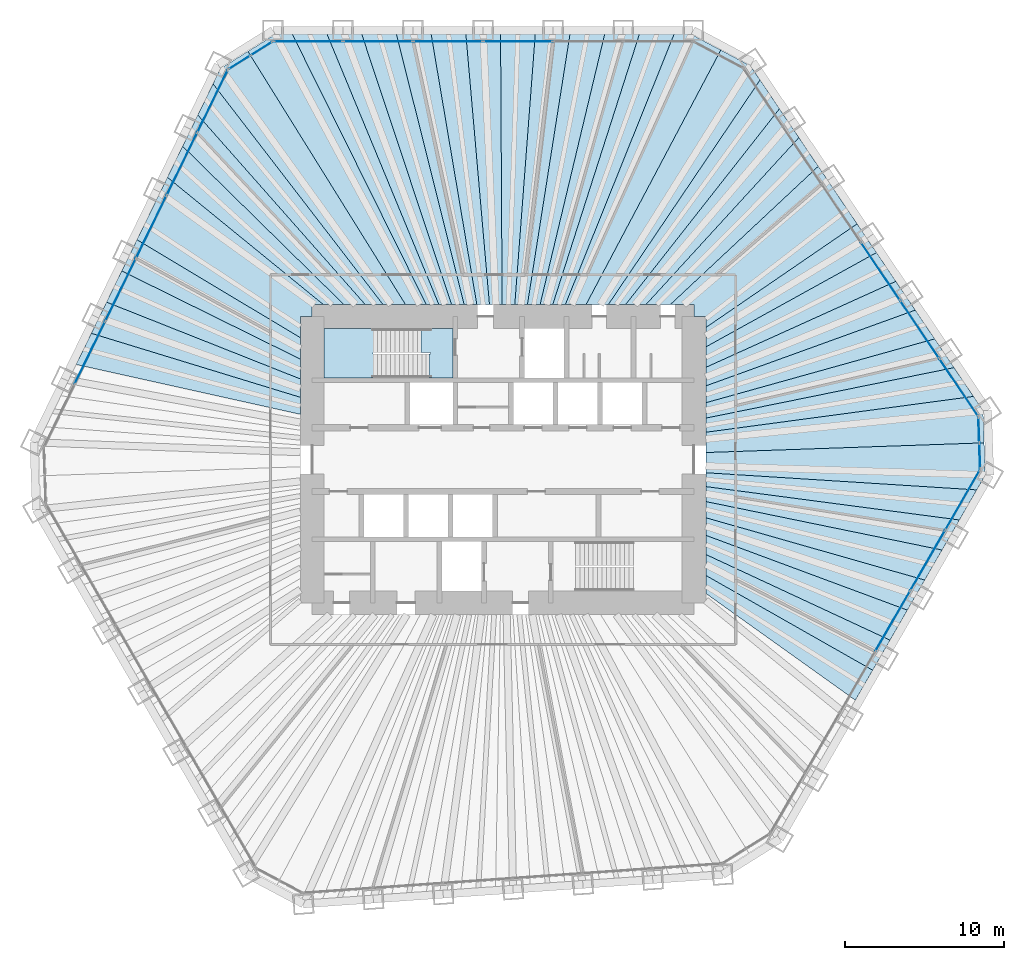
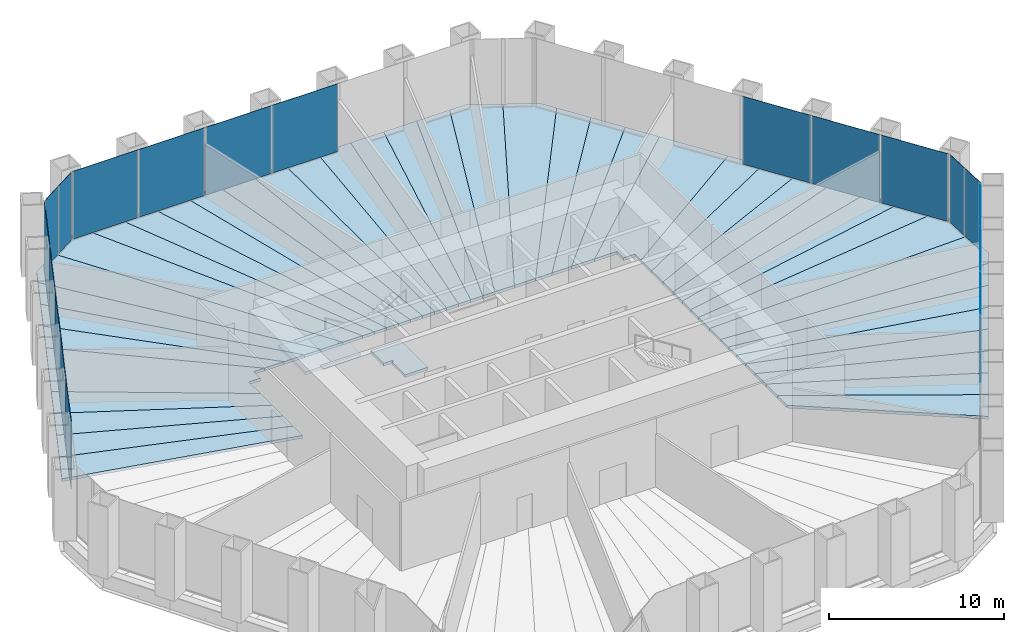
# One storey, part 9 of 13: 44 slabs, 19 plates, 7 elements without a shape of their own.
"""IFC4 building model written with IfcOpenShell, lengths in metres."""

from ifc_helpers import new_model, si_unit, direction, frame, origin, origin_2d, place, context, subcontext, project, spatial, polyline, rectangle, outline, extrude, material, layer, layer_set, type_object, element, aggregate, save


model = new_model("IFC4")

# Units and contexts
model_context = context("Model", 3, precision=1e-05, world=origin(), true_north=direction((0.0, 1.0)))
body_context = subcontext(model_context, "Body", "Model", "MODEL_VIEW")
ifc_project = project(units=[si_unit("LENGTHUNIT", "METRE"), si_unit("AREAUNIT", "SQUARE_METRE"), si_unit("VOLUMEUNIT", "CUBIC_METRE"), si_unit("PLANEANGLEUNIT", "RADIAN"), si_unit("MASSUNIT", "GRAM", prefix="KILO")], contexts=[model_context])

# Site, building, storey
site_placement = place(None, origin())
site = spatial("IfcSite", under=ifc_project, at=site_placement, CompositionType="ELEMENT")
building_placement = place(site_placement, origin())
building = spatial("IfcBuilding", under=site, at=building_placement, Name="Qingtian Harvest Tower", CompositionType="ELEMENT")
storey_placement = place(building_placement, frame((0.0, 0.0, 77.0)))
storey = spatial("IfcBuildingStorey", under=building, at=storey_placement, Name="L15", CompositionType="ELEMENT", Elevation=77.0)

# Slabs
ifc_material_1 = material(Name="Concrete fc' 35 MPa", Category="concrete")
ifc_layer_1 = layer(ifc_material_1, 0.199951171875)
ifc_layer_set_1 = layer_set([ifc_layer_1], Name="Composite floor slab FS20 200")
slab_type_1 = type_object("IfcSlabType", Name="Composite floor slab FS20 200", PredefinedType="FLOOR", material=ifc_layer_set_1)
slab_1_placement = place(storey_placement, frame((0.0, 0.0, -0.199951171875)))
element("IfcSlab", 1, at=slab_1_placement, inside=storey, type_object=slab_type_1, Name="Floor slab L15 panel D32", PredefinedType="FLOOR", context=body_context, shape_type="SweptSolid", body=[
    extrude(outline(polyline([(12.75, -7.279052734375), (23.247802734375, -13.243408203125), (22.159423828125, -15.128662109375), (12.75, -8.4091796875), (12.75, -7.279052734375)])), origin(), (0.0, 0.0, 1.0), 0.199951171875),
])
slab_2_placement = place(storey_placement, frame((0.0, 0.0, -0.199951171875)))
element("IfcSlab", 2, at=slab_2_placement, inside=storey, type_object=slab_type_1, Name="Floor slab L15 panel D33", PredefinedType="FLOOR", context=body_context, shape_type="SweptSolid", body=[
    extrude(outline(polyline([(12.75, -5.96142578125), (24.339111328125, -11.353515625), (23.247802734375, -13.243408203125), (12.75, -7.279052734375), (12.75, -5.96142578125)])), origin(), (0.0, 0.0, 1.0), 0.199951171875),
])
slab_3_placement = place(storey_placement, frame((0.0, 0.0, -0.199951171875)))
element("IfcSlab", 3, at=slab_3_placement, inside=storey, type_object=slab_type_1, Name="Floor slab L15 panel D34", PredefinedType="FLOOR", context=body_context, shape_type="SweptSolid", body=[
    extrude(outline(polyline([(12.75, -4.757080078125), (25.43017578125, -9.46337890625), (24.339111328125, -11.353515625), (12.75, -5.96142578125), (12.75, -4.757080078125)])), origin(), (0.0, 0.0, 1.0), 0.199951171875),
])
slab_4_placement = place(storey_placement, frame((0.0, 0.0, -0.199951171875)))
element("IfcSlab", 4, at=slab_4_placement, inside=storey, type_object=slab_type_1, Name="Floor slab L15 panel D35", PredefinedType="FLOOR", context=body_context, shape_type="SweptSolid", body=[
    extrude(outline(polyline([(12.75, -3.651611328125), (26.521484375, -7.573486328125), (25.43017578125, -9.46337890625), (12.75, -4.757080078125), (12.75, -3.651611328125)])), origin(), (0.0, 0.0, 1.0), 0.199951171875),
])
slab_5_placement = place(storey_placement, frame((0.0, 0.0, -0.199951171875)))
element("IfcSlab", 5, at=slab_5_placement, inside=storey, type_object=slab_type_1, Name="Floor slab L15 panel D36", PredefinedType="FLOOR", context=body_context, shape_type="SweptSolid", body=[
    extrude(outline(polyline([(12.75, -2.634033203125), (27.612548828125, -5.68359375), (26.521484375, -7.573486328125), (12.75, -3.651611328125), (12.75, -2.634033203125)])), origin(), (0.0, 0.0, 1.0), 0.199951171875),
])
slab_6_placement = place(storey_placement, frame((0.0, 0.0, -0.199951171875)))
element("IfcSlab", 6, at=slab_6_placement, inside=storey, type_object=slab_type_1, Name="Floor slab L15 panel D37", PredefinedType="FLOOR", context=body_context, shape_type="SweptSolid", body=[
    extrude(outline(polyline([(12.75, -1.693603515625), (28.703857421875, -3.793701171875), (27.612548828125, -5.68359375), (12.75, -2.634033203125), (12.75, -1.693603515625)])), origin(), (0.0, 0.0, 1.0), 0.199951171875),
])
slab_7_placement = place(storey_placement, frame((0.0, 0.0, -0.199951171875)))
element("IfcSlab", 7, at=slab_7_placement, inside=storey, type_object=slab_type_1, Name="Floor slab L15 panel D38", PredefinedType="FLOOR", context=body_context, shape_type="SweptSolid", body=[
    extrude(outline(polyline([(12.75, -0.822265625), (29.794921875, -1.903564453125), (28.703857421875, -3.793701171875), (12.75, -1.693603515625), (12.75, -0.822265625)])), origin(), (0.0, 0.0, 1.0), 0.199951171875),
])
slab_8_placement = place(storey_placement, frame((0.0, 0.0, -0.199951171875)))
element("IfcSlab", 8, at=slab_8_placement, inside=storey, type_object=slab_type_1, Name="Floor slab L15 panel D39", PredefinedType="FLOOR", context=body_context, shape_type="SweptSolid", body=[
    extrude(outline(polyline([(12.75, -0.822265625), (12.75, 0.447265625), (30.2587890625, 1.056640625), (30.32958984375, -0.9775390625), (29.794921875, -1.903564453125), (12.75, -0.822265625)])), origin(), (0.0, 0.0, 1.0), 0.199951171875),
])
slab_9_placement = place(storey_placement, frame((0.0, 0.0, -0.199951171875)))
element("IfcSlab", 9, at=slab_9_placement, inside=storey, type_object=slab_type_1, Name="Floor slab L15 panel D40", PredefinedType="FLOOR", context=body_context, shape_type="SweptSolid", body=[
    extrude(outline(polyline([(12.75, 0.447265625), (12.75, 1.72265625), (29.589599609375, 3.977294921875), (30.187744140625, 3.0908203125), (30.2587890625, 1.056640625), (12.75, 0.447265625)])), origin(), (0.0, 0.0, 1.0), 0.199951171875),
])
slab_10_placement = place(storey_placement, frame((0.0, 0.0, -0.199951171875)))
element("IfcSlab", 10, at=slab_10_placement, inside=storey, type_object=slab_type_1, Name="Floor slab L15 panel D41", PredefinedType="FLOOR", context=body_context, shape_type="SweptSolid", body=[
    extrude(outline(polyline([(12.75, 2.610595703125), (28.369140625, 5.78662109375), (29.589599609375, 3.977294921875), (12.75, 1.72265625), (12.75, 2.610595703125)])), origin(), (0.0, 0.0, 1.0), 0.199951171875),
])
slab_11_placement = place(storey_placement, frame((0.0, 0.0, -0.199951171875)))
element("IfcSlab", 11, at=slab_11_placement, inside=storey, type_object=slab_type_1, Name="Floor slab L15 panel D42", PredefinedType="FLOOR", context=body_context, shape_type="SweptSolid", body=[
    extrude(outline(polyline([(12.75, 3.57861328125), (27.14892578125, 7.595947265625), (28.369140625, 5.78662109375), (12.75, 2.610595703125), (12.75, 3.57861328125)])), origin(), (0.0, 0.0, 1.0), 0.199951171875),
])
slab_12_placement = place(storey_placement, frame((0.0, 0.0, -0.199951171875)))
element("IfcSlab", 12, at=slab_12_placement, inside=storey, type_object=slab_type_1, Name="Floor slab L15 panel D43", PredefinedType="FLOOR", context=body_context, shape_type="SweptSolid", body=[
    extrude(outline(polyline([(12.75, 4.6376953125), (25.928466796875, 9.405029296875), (27.14892578125, 7.595947265625), (12.75, 3.57861328125), (12.75, 4.6376953125)])), origin(), (0.0, 0.0, 1.0), 0.199951171875),
])
slab_13_placement = place(storey_placement, frame((0.0, 0.0, -0.199951171875)))
element("IfcSlab", 13, at=slab_13_placement, inside=storey, type_object=slab_type_1, Name="Floor slab L15 panel D44", PredefinedType="FLOOR", context=body_context, shape_type="SweptSolid", body=[
    extrude(outline(polyline([(12.75, 5.8017578125), (24.708251953125, 11.21435546875), (25.928466796875, 9.405029296875), (12.75, 4.6376953125), (12.75, 5.8017578125)])), origin(), (0.0, 0.0, 1.0), 0.199951171875),
])
slab_14_placement = place(storey_placement, frame((0.0, 0.0, -0.199951171875)))
element("IfcSlab", 14, at=slab_14_placement, inside=storey, type_object=slab_type_1, Name="Floor slab L15 panel D45", PredefinedType="FLOOR", context=body_context, shape_type="SweptSolid", body=[
    extrude(outline(polyline([(12.75, 7.087158203125), (23.48779296875, 13.023681640625), (24.708251953125, 11.21435546875), (12.75, 5.8017578125), (12.75, 7.087158203125)])), origin(), (0.0, 0.0, 1.0), 0.199951171875),
])
slab_15_placement = place(storey_placement, frame((0.0, 0.0, -0.199951171875)))
element("IfcSlab", 15, at=slab_15_placement, inside=storey, type_object=slab_type_1, Name="Floor slab L15 panel D46", PredefinedType="FLOOR", context=body_context, shape_type="SweptSolid", body=[
    extrude(outline(polyline([(12.75, 8.30615234375), (22.26953125, 14.829833984375), (23.48779296875, 13.023681640625), (12.75, 7.087158203125), (12.75, 8.30615234375)])), origin(), (0.0, 0.0, 1.0), 0.199951171875),
])
slab_16_placement = place(storey_placement, frame((0.0, 0.0, -0.199951171875)))
element("IfcSlab", 16, at=slab_16_placement, inside=storey, type_object=slab_type_1, Name="Floor slab L15 panel D48", PredefinedType="FLOOR", context=body_context, shape_type="SweptSolid", body=[
    extrude(outline(polyline([(19.8271484375, 18.45068359375), (22.26953125, 14.829833984375), (12.75, 8.30615234375), (12.75, 9.0), (12.0, 9.0), (12.0, 9.75), (10.51806640625, 9.75), (19.8271484375, 18.45068359375)])), origin(), (0.0, 0.0, 1.0), 0.199951171875),
])
slab_17_placement = place(storey_placement, frame((0.0, 0.0, -0.199951171875)))
element("IfcSlab", 17, at=slab_17_placement, inside=storey, type_object=slab_type_1, Name="Floor slab L15 panel D49", PredefinedType="FLOOR", context=body_context, shape_type="SweptSolid", body=[
    extrude(outline(polyline([(8.985107421875, 9.75), (18.60693359375, 20.260009765625), (19.8271484375, 18.45068359375), (10.51806640625, 9.75), (8.985107421875, 9.75)])), origin(), (0.0, 0.0, 1.0), 0.199951171875),
])
slab_18_placement = place(storey_placement, frame((0.0, 0.0, -0.199951171875)))
element("IfcSlab", 18, at=slab_18_placement, inside=storey, type_object=slab_type_1, Name="Floor slab L15 panel D50", PredefinedType="FLOOR", context=body_context, shape_type="SweptSolid", body=[
    extrude(outline(polyline([(7.705078125, 9.75), (17.386474609375, 22.0693359375), (18.60693359375, 20.260009765625), (8.985107421875, 9.75), (7.705078125, 9.75)])), origin(), (0.0, 0.0, 1.0), 0.199951171875),
])
slab_19_placement = place(storey_placement, frame((0.0, 0.0, -0.199951171875)))
element("IfcSlab", 19, at=slab_19_placement, inside=storey, type_object=slab_type_1, Name="Floor slab L15 panel D51", PredefinedType="FLOOR", context=body_context, shape_type="SweptSolid", body=[
    extrude(outline(polyline([(6.61962890625, 9.75), (16.166015625, 23.87841796875), (17.386474609375, 22.0693359375), (7.705078125, 9.75), (6.61962890625, 9.75)])), origin(), (0.0, 0.0, 1.0), 0.199951171875),
])
slab_20_placement = place(storey_placement, frame((0.0, 0.0, -0.199951171875)))
element("IfcSlab", 20, at=slab_20_placement, inside=storey, type_object=slab_type_1, Name="Floor slab L15 panel D52", PredefinedType="FLOOR", context=body_context, shape_type="SweptSolid", body=[
    extrude(outline(polyline([(6.61962890625, 9.75), (5.21875, 9.75), (13.697265625, 25.760009765625), (15.56787109375, 24.765380859375), (16.166015625, 23.87841796875), (6.61962890625, 9.75)])), origin(), (0.0, 0.0, 1.0), 0.199951171875),
])
slab_21_placement = place(storey_placement, frame((0.0, 0.0, -0.199951171875)))
element("IfcSlab", 21, at=slab_21_placement, inside=storey, type_object=slab_type_1, Name="Floor slab L15 panel D53", PredefinedType="FLOOR", context=body_context, shape_type="SweptSolid", body=[
    extrude(outline(polyline([(3.919921875, 9.75), (10.756591796875, 26.7548828125), (11.825927734375, 26.7548828125), (13.697265625, 25.760009765625), (5.21875, 9.75), (3.919921875, 9.75)])), origin(), (0.0, 0.0, 1.0), 0.199951171875),
])
slab_22_placement = place(storey_placement, frame((0.0, 0.0, -0.199951171875)))
element("IfcSlab", 22, at=slab_22_placement, inside=storey, type_object=slab_type_1, Name="Floor slab L15 panel D54", PredefinedType="FLOOR", context=body_context, shape_type="SweptSolid", body=[
    extrude(outline(polyline([(3.12451171875, 9.75), (8.57421875, 26.7548828125), (10.756591796875, 26.7548828125), (3.919921875, 9.75), (3.12451171875, 9.75)])), origin(), (0.0, 0.0, 1.0), 0.199951171875),
])
slab_23_placement = place(storey_placement, frame((0.0, 0.0, -0.199951171875)))
element("IfcSlab", 23, at=slab_23_placement, inside=storey, type_object=slab_type_1, Name="Floor slab L15 panel D55", PredefinedType="FLOOR", context=body_context, shape_type="SweptSolid", body=[
    extrude(outline(polyline([(2.329345703125, 9.75), (6.391845703125, 26.7548828125), (8.57421875, 26.7548828125), (3.12451171875, 9.75), (2.329345703125, 9.75)])), origin(), (0.0, 0.0, 1.0), 0.199951171875),
])
slab_24_placement = place(storey_placement, frame((0.0, 0.0, -0.199951171875)))
element("IfcSlab", 24, at=slab_24_placement, inside=storey, type_object=slab_type_1, Name="Floor slab L15 panel D56", PredefinedType="FLOOR", context=body_context, shape_type="SweptSolid", body=[
    extrude(outline(polyline([(1.533935546875, 9.75), (4.20947265625, 26.7548828125), (6.391845703125, 26.7548828125), (2.329345703125, 9.75), (1.533935546875, 9.75)])), origin(), (0.0, 0.0, 1.0), 0.199951171875),
])
slab_25_placement = place(storey_placement, frame((0.0, 0.0, -0.199951171875)))
element("IfcSlab", 25, at=slab_25_placement, inside=storey, type_object=slab_type_1, Name="Floor slab L15 panel D57", PredefinedType="FLOOR", context=body_context, shape_type="SweptSolid", body=[
    extrude(outline(polyline([(0.73876953125, 9.75), (2.02734375, 26.7548828125), (4.20947265625, 26.7548828125), (1.533935546875, 9.75), (0.73876953125, 9.75)])), origin(), (0.0, 0.0, 1.0), 0.199951171875),
])
slab_26_placement = place(storey_placement, frame((0.0, 0.0, -0.199951171875)))
element("IfcSlab", 26, at=slab_26_placement, inside=storey, type_object=slab_type_1, Name="Floor slab L15 panel D58", PredefinedType="FLOOR", context=body_context, shape_type="SweptSolid", body=[
    extrude(outline(polyline([(-0.056396484375, 9.75), (-0.155029296875, 26.7548828125), (2.02734375, 26.7548828125), (0.73876953125, 9.75), (-0.056396484375, 9.75)])), origin(), (0.0, 0.0, 1.0), 0.199951171875),
])
slab_27_placement = place(storey_placement, frame((0.0, 0.0, -0.199951171875)))
element("IfcSlab", 27, at=slab_27_placement, inside=storey, type_object=slab_type_1, Name="Floor slab L15 panel D59", PredefinedType="FLOOR", context=body_context, shape_type="SweptSolid", body=[
    extrude(outline(polyline([(-0.851806640625, 9.75), (-2.33740234375, 26.7548828125), (-0.155029296875, 26.7548828125), (-0.056396484375, 9.75), (-0.851806640625, 9.75)])), origin(), (0.0, 0.0, 1.0), 0.199951171875),
])
slab_28_placement = place(storey_placement, frame((0.0, 0.0, -0.199951171875)))
element("IfcSlab", 28, at=slab_28_placement, inside=storey, type_object=slab_type_1, Name="Floor slab L15 panel D60", PredefinedType="FLOOR", context=body_context, shape_type="SweptSolid", body=[
    extrude(outline(polyline([(-1.64697265625, 9.75), (-4.519775390625, 26.7548828125), (-2.33740234375, 26.7548828125), (-0.851806640625, 9.75), (-1.64697265625, 9.75)])), origin(), (0.0, 0.0, 1.0), 0.199951171875),
])
slab_29_placement = place(storey_placement, frame((0.0, 0.0, -0.199951171875)))
element("IfcSlab", 29, at=slab_29_placement, inside=storey, type_object=slab_type_1, Name="Floor slab L15 panel D61", PredefinedType="FLOOR", context=body_context, shape_type="SweptSolid", body=[
    extrude(outline(polyline([(-2.4423828125, 9.75), (-6.7021484375, 26.7548828125), (-4.519775390625, 26.7548828125), (-1.64697265625, 9.75), (-2.4423828125, 9.75)])), origin(), (0.0, 0.0, 1.0), 0.199951171875),
])
slab_30_placement = place(storey_placement, frame((0.0, 0.0, -0.199951171875)))
element("IfcSlab", 30, at=slab_30_placement, inside=storey, type_object=slab_type_1, Name="Floor slab L15 panel D62", PredefinedType="FLOOR", context=body_context, shape_type="SweptSolid", body=[
    extrude(outline(polyline([(-3.237548828125, 9.75), (-8.88427734375, 26.7548828125), (-6.7021484375, 26.7548828125), (-2.4423828125, 9.75), (-3.237548828125, 9.75)])), origin(), (0.0, 0.0, 1.0), 0.199951171875),
])
slab_31_placement = place(storey_placement, frame((0.0, 0.0, -0.199951171875)))
element("IfcSlab", 31, at=slab_31_placement, inside=storey, type_object=slab_type_1, Name="Floor slab L15 panel D63", PredefinedType="FLOOR", context=body_context, shape_type="SweptSolid", body=[
    extrude(outline(polyline([(-4.032958984375, 9.75), (-11.066650390625, 26.7548828125), (-8.88427734375, 26.7548828125), (-3.237548828125, 9.75), (-4.032958984375, 9.75)])), origin(), (0.0, 0.0, 1.0), 0.199951171875),
])
slab_32_placement = place(storey_placement, frame((0.0, 0.0, -0.199951171875)))
element("IfcSlab", 32, at=slab_32_placement, inside=storey, type_object=slab_type_1, Name="Floor slab L15 panel D64", PredefinedType="FLOOR", context=body_context, shape_type="SweptSolid", body=[
    extrude(outline(polyline([(-4.828125, 9.75), (-13.2490234375, 26.7548828125), (-11.066650390625, 26.7548828125), (-4.032958984375, 9.75), (-4.828125, 9.75)])), origin(), (0.0, 0.0, 1.0), 0.199951171875),
])
slab_33_placement = place(storey_placement, frame((0.0, 0.0, -0.199951171875)))
element("IfcSlab", 33, at=slab_33_placement, inside=storey, type_object=slab_type_1, Name="Floor slab L15 panel D65", PredefinedType="FLOOR", context=body_context, shape_type="SweptSolid", body=[
    extrude(outline(polyline([(-4.828125, 9.75), (-6.130126953125, 9.75), (-16.044921875, 25.67626953125), (-14.318359375, 26.7548828125), (-13.2490234375, 26.7548828125), (-4.828125, 9.75)])), origin(), (0.0, 0.0, 1.0), 0.199951171875),
])
slab_34_placement = place(storey_placement, frame((0.0, 0.0, -0.199951171875)))
element("IfcSlab", 34, at=slab_34_placement, inside=storey, type_object=slab_type_1, Name="Floor slab L15 panel D66", PredefinedType="FLOOR", context=body_context, shape_type="SweptSolid", body=[
    extrude(outline(polyline([(-6.130126953125, 9.75), (-7.544677734375, 9.75), (-18.239501953125, 23.636474609375), (-17.7705078125, 24.597900390625), (-16.044921875, 25.67626953125), (-6.130126953125, 9.75)])), origin(), (0.0, 0.0, 1.0), 0.199951171875),
])
slab_35_placement = place(storey_placement, frame((0.0, 0.0, -0.199951171875)))
element("IfcSlab", 35, at=slab_35_placement, inside=storey, type_object=slab_type_1, Name="Floor slab L15 panel D67", PredefinedType="FLOOR", context=body_context, shape_type="SweptSolid", body=[
    extrude(outline(polyline([(-8.662109375, 9.75), (-19.196044921875, 21.675048828125), (-18.239501953125, 23.636474609375), (-7.544677734375, 9.75), (-8.662109375, 9.75)])), origin(), (0.0, 0.0, 1.0), 0.199951171875),
])
slab_36_placement = place(storey_placement, frame((0.0, 0.0, -0.199951171875)))
element("IfcSlab", 36, at=slab_36_placement, inside=storey, type_object=slab_type_1, Name="Floor slab L15 panel D68", PredefinedType="FLOOR", context=body_context, shape_type="SweptSolid", body=[
    extrude(outline(polyline([(-10.00341796875, 9.75), (-20.15283203125, 19.71337890625), (-19.196044921875, 21.675048828125), (-8.662109375, 9.75), (-10.00341796875, 9.75)])), origin(), (0.0, 0.0, 1.0), 0.199951171875),
])
slab_37_placement = place(storey_placement, frame((0.0, 0.0, -0.199951171875)))
element("IfcSlab", 37, at=slab_37_placement, inside=storey, type_object=slab_type_1, Name="Floor slab L15 panel D69", PredefinedType="FLOOR", context=body_context, shape_type="SweptSolid", body=[
    extrude(outline(polyline([(-11.2939453125, 9.75), (-21.107666015625, 17.755859375), (-20.15283203125, 19.71337890625), (-10.00341796875, 9.75), (-11.2939453125, 9.75)])), origin(), (0.0, 0.0, 1.0), 0.199951171875),
])
slab_38_placement = place(storey_placement, frame((0.0, 0.0, -0.199951171875)))
element("IfcSlab", 38, at=slab_38_placement, inside=storey, type_object=slab_type_1, Name="Floor slab L15 panel D70", PredefinedType="FLOOR", context=body_context, shape_type="SweptSolid", body=[
    extrude(outline(polyline([(-12.0, 9.0), (-12.75, 9.0), (-12.75, 7.67333984375), (-23.0224609375, 13.82958984375), (-21.107666015625, 17.755859375), (-11.2939453125, 9.75), (-12.0, 9.75), (-12.0, 9.0)])), origin(), (0.0, 0.0, 1.0), 0.199951171875),
])
slab_39_placement = place(storey_placement, frame((0.0, 0.0, -0.199951171875)))
element("IfcSlab", 39, at=slab_39_placement, inside=storey, type_object=slab_type_1, Name="Floor slab L15 panel D72", PredefinedType="FLOOR", context=body_context, shape_type="SweptSolid", body=[
    extrude(outline(polyline([(-12.75, 6.3232421875), (-23.979248046875, 11.8681640625), (-23.0224609375, 13.82958984375), (-12.75, 7.67333984375), (-12.75, 6.3232421875)])), origin(), (0.0, 0.0, 1.0), 0.199951171875),
])
slab_40_placement = place(storey_placement, frame((0.0, 0.0, -0.199951171875)))
element("IfcSlab", 40, at=slab_40_placement, inside=storey, type_object=slab_type_1, Name="Floor slab L15 panel D73", PredefinedType="FLOOR", context=body_context, shape_type="SweptSolid", body=[
    extrude(outline(polyline([(-12.75, 5.076904296875), (-24.935791015625, 9.90673828125), (-23.979248046875, 11.8681640625), (-12.75, 6.3232421875), (-12.75, 5.076904296875)])), origin(), (0.0, 0.0, 1.0), 0.199951171875),
])
slab_41_placement = place(storey_placement, frame((0.0, 0.0, -0.199951171875)))
element("IfcSlab", 41, at=slab_41_placement, inside=storey, type_object=slab_type_1, Name="Floor slab L15 panel D74", PredefinedType="FLOOR", context=body_context, shape_type="SweptSolid", body=[
    extrude(outline(polyline([(-12.75, 3.922607421875), (-25.892578125, 7.9453125), (-24.935791015625, 9.90673828125), (-12.75, 5.076904296875), (-12.75, 3.922607421875)])), origin(), (0.0, 0.0, 1.0), 0.199951171875),
])
slab_42_placement = place(storey_placement, frame((0.0, 0.0, -0.199951171875)))
element("IfcSlab", 42, at=slab_42_placement, inside=storey, type_object=slab_type_1, Name="Floor slab L15 panel D75", PredefinedType="FLOOR", context=body_context, shape_type="SweptSolid", body=[
    extrude(outline(polyline([(-12.75, 2.8505859375), (-26.84912109375, 5.98388671875), (-25.892578125, 7.9453125), (-12.75, 3.922607421875), (-12.75, 2.8505859375)])), origin(), (0.0, 0.0, 1.0), 0.199951171875),
])

# Curtain wall, plates
ifc_material_2 = material(Name="Bronze-anodised aluminium curtain wall", Category="aluminium")
curtain_wall_type = type_object("IfcCurtainWallType", Name="Curtain wall CW2 farm reception", PredefinedType="USERDEFINED", material=ifc_material_2)
curtain_wall_1_placement = place(storey_placement, origin())
curtain_wall_1 = element("IfcCurtainWall", 43, at=curtain_wall_1_placement, inside=storey, type_object=curtain_wall_type, Name="Curtain wall CW2 L15 N0-5", ObjectType="RECESSED CURTAIN WALL", PredefinedType="USERDEFINED")
ifc_material_3 = material(Name="Bronze-tinted laminated insulating glass", Category="glass")
ifc_layer_2 = layer(ifc_material_3, 0.030029296875)
ifc_layer_set_2 = layer_set([ifc_layer_2], Name="Glazed panel CWP tinted IGU")
plate_type = type_object("IfcPlateType", Name="Glazed panel CWP tinted IGU", PredefinedType="CURTAIN_PANEL", material=ifc_layer_set_2)
plate_1_placement = place(storey_placement, frame((-12.2529296875, 26.300048828125, 0.06494140625), z_axis=(0.0, 0.0, 1.0), x_axis=(1.0, 0.0, 0.0)))
plate_1 = element("IfcPlate", 44, at=plate_1_placement, type_object=plate_type, Name="CW2 panel 1.1", PredefinedType="CURTAIN_PANEL", context=body_context, shape_type="SweptSolid", body=[
    extrude(rectangle(XDim=4.30712890625, YDim=0.030029296875, at=origin_2d()), origin(), (0.0, 0.0, 1.0), 4.735107421875),
])
plate_2_placement = place(storey_placement, frame((-7.864501953125, 26.300048828125, 0.06494140625), z_axis=(0.0, 0.0, 1.0), x_axis=(1.0, 0.0, 0.0)))
plate_2 = element("IfcPlate", 45, at=plate_2_placement, type_object=plate_type, Name="CW2 panel 2.1", PredefinedType="CURTAIN_PANEL", context=body_context, shape_type="SweptSolid", body=[
    extrude(rectangle(XDim=4.339599609375, YDim=0.030029296875, at=origin_2d()), origin(), (0.0, 0.0, 1.0), 4.735107421875),
])
plate_3_placement = place(storey_placement, frame((-3.4599609375, 26.300048828125, 0.06494140625), z_axis=(0.0, 0.0, 1.0), x_axis=(1.0, 0.0, 0.0)))
plate_3 = element("IfcPlate", 46, at=plate_3_placement, type_object=plate_type, Name="CW2 panel 3.1", PredefinedType="CURTAIN_PANEL", context=body_context, shape_type="SweptSolid", body=[
    extrude(rectangle(XDim=4.339599609375, YDim=0.030029296875, at=origin_2d()), origin(), (0.0, 0.0, 1.0), 4.735107421875),
])
plate_4_placement = place(storey_placement, frame((0.944580078125, 26.300048828125, 0.06494140625), z_axis=(0.0, 0.0, 1.0), x_axis=(1.0, 0.0, 0.0)))
plate_4 = element("IfcPlate", 47, at=plate_4_placement, type_object=plate_type, Name="CW2 panel 4.1", PredefinedType="CURTAIN_PANEL", context=body_context, shape_type="SweptSolid", body=[
    extrude(rectangle(XDim=4.339599609375, YDim=0.030029296875, at=origin_2d()), origin(), (0.0, 0.0, 1.0), 4.735107421875),
])
aggregate(curtain_wall_1, [plate_1, plate_2, plate_3, plate_4])

curtain_wall_2_placement = place(storey_placement, origin())
curtain_wall_2 = element("IfcCurtainWall", 48, at=curtain_wall_2_placement, inside=storey, type_object=curtain_wall_type, Name="Curtain wall CW2 L15 NE0-5", ObjectType="RECESSED CURTAIN WALL", PredefinedType="USERDEFINED")
plate_5_placement = place(storey_placement, frame((23.738525390625, 11.83837890625, 0.06494140625), z_axis=(0.0, 0.0, 1.0), x_axis=(0.559192903471, -0.829037572555, 0.0)))
plate_5 = element("IfcPlate", 49, at=plate_5_placement, type_object=plate_type, Name="CW2 panel 4.1", PredefinedType="CURTAIN_PANEL", context=body_context, shape_type="SweptSolid", body=[
    extrude(rectangle(XDim=4.339599609375, YDim=0.030029296875, at=origin_2d()), origin(), (0.0, 0.0, 1.0), 4.735107421875),
])
plate_6_placement = place(storey_placement, frame((26.201416015625, 8.186767578125, 0.06494140625), z_axis=(0.0, 0.0, 1.0), x_axis=(0.559192903471, -0.829037572555, 0.0)))
plate_6 = element("IfcPlate", 50, at=plate_6_placement, type_object=plate_type, Name="CW2 panel 5.1", PredefinedType="CURTAIN_PANEL", context=body_context, shape_type="SweptSolid", body=[
    extrude(rectangle(XDim=4.339599609375, YDim=0.030029296875, at=origin_2d()), origin(), (0.0, 0.0, 1.0), 4.735107421875),
])
plate_7_placement = place(storey_placement, frame((28.655517578125, 4.548583984375, 0.06494140625), z_axis=(0.0, 0.0, 1.0), x_axis=(0.559192903471, -0.829037572555, 0.0)))
plate_7 = element("IfcPlate", 51, at=plate_7_placement, type_object=plate_type, Name="CW2 panel 6.1", PredefinedType="CURTAIN_PANEL", context=body_context, shape_type="SweptSolid", body=[
    extrude(rectangle(XDim=4.30712890625, YDim=0.030029296875, at=origin_2d()), origin(), (0.0, 0.0, 1.0), 4.735107421875),
])
aggregate(curtain_wall_2, [plate_5, plate_6, plate_7])

curtain_wall_3_placement = place(storey_placement, origin())
curtain_wall_3 = element("IfcCurtainWall", 52, at=curtain_wall_3_placement, inside=storey, type_object=curtain_wall_type, Name="Curtain wall CW2 L15 NEC", ObjectType="RECESSED CURTAIN WALL", PredefinedType="USERDEFINED")
plate_8_placement = place(storey_placement, frame((29.925537109375, 1.861572265625, 0.06494140625), z_axis=(0.0, 0.0, 1.0), x_axis=(0.034899496703, -0.999390827019, 0.0)))
plate_8 = element("IfcPlate", 53, at=plate_8_placement, type_object=plate_type, Name="CW2 panel 1.1", PredefinedType="CURTAIN_PANEL", context=body_context, shape_type="SweptSolid", body=[
    extrude(rectangle(XDim=1.56689453125, YDim=0.030029296875, at=origin_2d()), origin(), (0.0, 0.0, 1.0), 4.735107421875),
])
plate_9_placement = place(storey_placement, frame((29.982666015625, 0.23046875, 0.06494140625), z_axis=(0.0, 0.0, 1.0), x_axis=(0.034899496703, -0.999390827019, 0.0)))
plate_9 = element("IfcPlate", 54, at=plate_9_placement, type_object=plate_type, Name="CW2 panel 2.1", PredefinedType="CURTAIN_PANEL", context=body_context, shape_type="SweptSolid", body=[
    extrude(rectangle(XDim=1.56689453125, YDim=0.030029296875, at=origin_2d()), origin(), (0.0, 0.0, 1.0), 4.735107421875),
])
aggregate(curtain_wall_3, [plate_8, plate_9])

curtain_wall_4_placement = place(storey_placement, origin())
curtain_wall_4 = element("IfcCurtainWall", 55, at=curtain_wall_4_placement, inside=storey, type_object=curtain_wall_type, Name="Curtain wall CW2 L15 SE0-5", ObjectType="RECESSED CURTAIN WALL", PredefinedType="USERDEFINED")
plate_10_placement = place(storey_placement, frame((28.90283203125, -2.53857421875, 0.06494140625), z_axis=(0.0, 0.0, 1.0), x_axis=(-0.5, -0.866025403784, 0.0)))
plate_10 = element("IfcPlate", 56, at=plate_10_placement, type_object=plate_type, Name="CW2 panel 1.1", PredefinedType="CURTAIN_PANEL", context=body_context, shape_type="SweptSolid", body=[
    extrude(rectangle(XDim=4.30712890625, YDim=0.030029296875, at=origin_2d()), origin(), (0.0, 0.0, 1.0), 4.735107421875),
])
plate_11_placement = place(storey_placement, frame((26.708740234375, -6.339111328125, 0.06494140625), z_axis=(0.0, 0.0, 1.0), x_axis=(-0.5, -0.866025403784, 0.0)))
plate_11 = element("IfcPlate", 57, at=plate_11_placement, type_object=plate_type, Name="CW2 panel 2.1", PredefinedType="CURTAIN_PANEL", context=body_context, shape_type="SweptSolid", body=[
    extrude(rectangle(XDim=4.339599609375, YDim=0.030029296875, at=origin_2d()), origin(), (0.0, 0.0, 1.0), 4.735107421875),
])
plate_12_placement = place(storey_placement, frame((24.50634765625, -10.153564453125, 0.06494140625), z_axis=(0.0, 0.0, 1.0), x_axis=(-0.5, -0.866025403784, 0.0)))
plate_12 = element("IfcPlate", 58, at=plate_12_placement, type_object=plate_type, Name="CW2 panel 3.1", PredefinedType="CURTAIN_PANEL", context=body_context, shape_type="SweptSolid", body=[
    extrude(rectangle(XDim=4.339599609375, YDim=0.030029296875, at=origin_2d()), origin(), (0.0, 0.0, 1.0), 4.735107421875),
])
aggregate(curtain_wall_4, [plate_10, plate_11, plate_12])

curtain_wall_5_placement = place(storey_placement, origin())
curtain_wall_5 = element("IfcCurtainWall", 59, at=curtain_wall_5_placement, inside=storey, type_object=curtain_wall_type, Name="Curtain wall CW2 L15 NW0-5", ObjectType="RECESSED CURTAIN WALL", PredefinedType="USERDEFINED")
plate_13_placement = place(storey_placement, frame((-25.983154296875, 6.72119140625, 0.06494140625), z_axis=(0.0, 0.0, 1.0), x_axis=(0.438371146789, 0.898794046299, 0.0)))
plate_13 = element("IfcPlate", 60, at=plate_13_placement, type_object=plate_type, Name="CW2 panel 2.1", PredefinedType="CURTAIN_PANEL", context=body_context, shape_type="SweptSolid", body=[
    extrude(rectangle(XDim=4.339599609375, YDim=0.030029296875, at=origin_2d()), origin(), (0.0, 0.0, 1.0), 4.735107421875),
])
plate_14_placement = place(storey_placement, frame((-24.052490234375, 10.68017578125, 0.06494140625), z_axis=(0.0, 0.0, 1.0), x_axis=(0.438371146789, 0.898794046299, 0.0)))
plate_14 = element("IfcPlate", 61, at=plate_14_placement, type_object=plate_type, Name="CW2 panel 3.1", PredefinedType="CURTAIN_PANEL", context=body_context, shape_type="SweptSolid", body=[
    extrude(rectangle(XDim=4.339599609375, YDim=0.030029296875, at=origin_2d()), origin(), (0.0, 0.0, 1.0), 4.735107421875),
])
plate_15_placement = place(storey_placement, frame((-22.12158203125, 14.638916015625, 0.06494140625), z_axis=(0.0, 0.0, 1.0), x_axis=(0.438371146789, 0.898794046299, 0.0)))
plate_15 = element("IfcPlate", 62, at=plate_15_placement, type_object=plate_type, Name="CW2 panel 4.1", PredefinedType="CURTAIN_PANEL", context=body_context, shape_type="SweptSolid", body=[
    extrude(rectangle(XDim=4.339599609375, YDim=0.030029296875, at=origin_2d()), origin(), (0.0, 0.0, 1.0), 4.735107421875),
])
plate_16_placement = place(storey_placement, frame((-20.190673828125, 18.597900390625, 0.06494140625), z_axis=(0.0, 0.0, 1.0), x_axis=(0.438371146789, 0.898794046299, 0.0)))
plate_16 = element("IfcPlate", 63, at=plate_16_placement, type_object=plate_type, Name="CW2 panel 5.1", PredefinedType="CURTAIN_PANEL", context=body_context, shape_type="SweptSolid", body=[
    extrude(rectangle(XDim=4.339599609375, YDim=0.030029296875, at=origin_2d()), origin(), (0.0, 0.0, 1.0), 4.735107421875),
])
plate_17_placement = place(storey_placement, frame((-18.266845703125, 22.5419921875, 0.06494140625), z_axis=(0.0, 0.0, 1.0), x_axis=(0.438371146789, 0.898794046299, 0.0)))
plate_17 = element("IfcPlate", 64, at=plate_17_placement, type_object=plate_type, Name="CW2 panel 6.1", PredefinedType="CURTAIN_PANEL", context=body_context, shape_type="SweptSolid", body=[
    extrude(rectangle(XDim=4.30712890625, YDim=0.030029296875, at=origin_2d()), origin(), (0.0, 0.0, 1.0), 4.735107421875),
])
aggregate(curtain_wall_5, [plate_13, plate_14, plate_15, plate_16, plate_17])

curtain_wall_6_placement = place(storey_placement, origin())
curtain_wall_6 = element("IfcCurtainWall", 65, at=curtain_wall_6_placement, inside=storey, type_object=curtain_wall_type, Name="Curtain wall CW2 L15 NWC", ObjectType="RECESSED CURTAIN WALL", PredefinedType="USERDEFINED")
plate_18_placement = place(storey_placement, frame((-16.574951171875, 24.985595703125, 0.06494140625), z_axis=(0.0, 0.0, 1.0), x_axis=(0.848048096156, 0.529919264233, 0.0)))
plate_18 = element("IfcPlate", 66, at=plate_18_placement, type_object=plate_type, Name="CW2 panel 1.1", PredefinedType="CURTAIN_PANEL", context=body_context, shape_type="SweptSolid", body=[
    extrude(rectangle(XDim=1.56689453125, YDim=0.030029296875, at=origin_2d()), origin(), (0.0, 0.0, 1.0), 4.735107421875),
])
plate_19_placement = place(storey_placement, frame((-15.19091796875, 25.850341796875, 0.06494140625), z_axis=(0.0, 0.0, 1.0), x_axis=(0.848048096156, 0.529919264233, 0.0)))
plate_19 = element("IfcPlate", 67, at=plate_19_placement, type_object=plate_type, Name="CW2 panel 2.1", PredefinedType="CURTAIN_PANEL", context=body_context, shape_type="SweptSolid", body=[
    extrude(rectangle(XDim=1.56689453125, YDim=0.030029296875, at=origin_2d()), origin(), (0.0, 0.0, 1.0), 4.735107421875),
])
aggregate(curtain_wall_6, [plate_18, plate_19])

# Stair, slabs
ifc_material_4 = material(Name="Concrete fc' 35 MPa", Category="concrete")
stair_type = type_object("IfcStairType", Name="Special stair ST2 5000", PredefinedType="HALF_TURN_STAIR", material=ifc_material_4)
stair_placement = place(storey_placement, origin())
stair = element("IfcStair", 68, at=stair_placement, inside=storey, type_object=stair_type, Name="Special stair S1 L15", PredefinedType="HALF_TURN_STAIR")
ifc_material_5 = material(Name="Concrete fc' 35 MPa", Category="concrete")
ifc_layer_3 = layer(ifc_material_5, 0.199951171875)
ifc_layer_set_3 = layer_set([ifc_layer_3], Name="Stair landing SL2 200")
slab_type_2 = type_object("IfcSlabType", Name="Stair landing SL2 200", PredefinedType="LANDING", material=ifc_layer_set_3)
slab_43_placement = place(storey_placement, frame((0.0, 0.0, -0.199951171875)))
slab_43 = element("IfcSlab", 69, at=slab_43_placement, type_object=slab_type_2, Name="S1 landing 1", PredefinedType="LANDING", context=body_context, shape_type="SweptSolid", body=[
    extrude(outline(polyline([(-4.64990234375, 5.14990234375), (-4.64990234375, 6.64990234375), (-4.550048828125, 6.64990234375), (-4.550048828125, 6.75), (-5.155029296875, 6.75), (-5.155029296875, 8.25), (-3.14990234375, 8.25), (-3.14990234375, 5.14990234375), (-4.64990234375, 5.14990234375)])), origin(), (0.0, 0.0, 1.0), 0.199951171875),
])
slab_44_placement = place(storey_placement, frame((0.0, 0.0, 2.300048828125)))
slab_44 = element("IfcSlab", 70, at=slab_44_placement, type_object=slab_type_2, Name="S1 landing 2", PredefinedType="LANDING", context=body_context, shape_type="SweptSolid", body=[
    extrude(outline(polyline([(-7.5849609375, 5.14990234375), (-11.25, 5.14990234375), (-11.25, 8.25), (-8.090087890625, 8.25), (-8.090087890625, 6.75), (-8.18994140625, 6.75), (-8.18994140625, 6.64990234375), (-7.5849609375, 6.64990234375), (-7.5849609375, 5.14990234375)])), origin(), (0.0, 0.0, 1.0), 0.199951171875),
])
aggregate(stair, [slab_43, slab_44])

save(model, "model.ifc")
